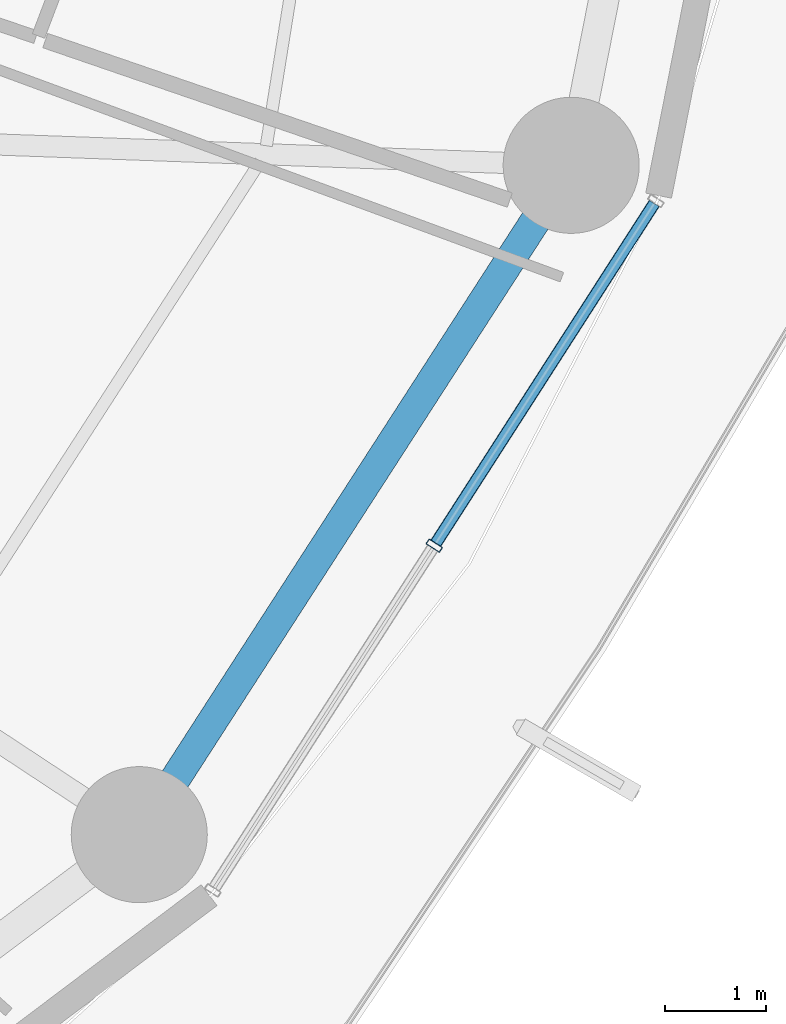
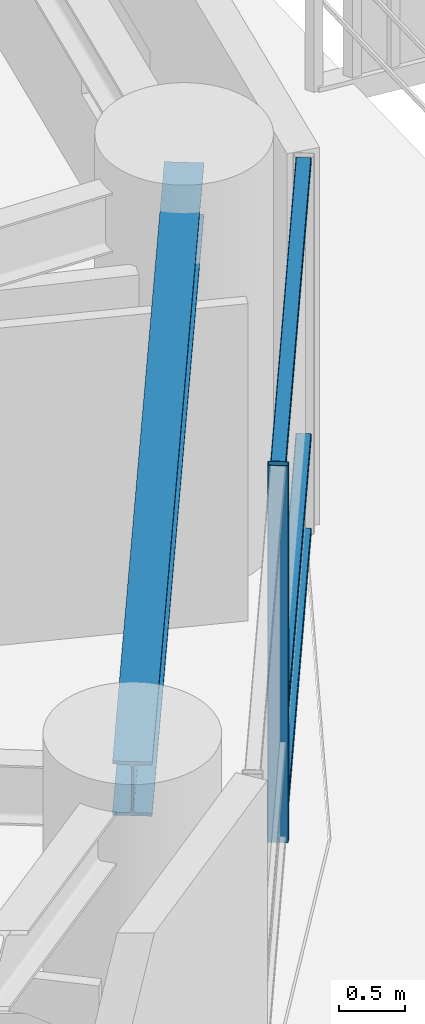
# One storey, part 13 of 35: 4 members, 1 beam, 1 element without a shape of its own.
"""IFC4 building model written with IfcOpenShell, lengths in metres."""

import ifcopenshell
import ifcopenshell.guid

model = None  # the IFC model being written
_history = None  # IfcOwnerHistory: only IFC2X3 demands one
_inside = {}  # id of a spatial element -> (the spatial element, [elements in it])
_under = {}  # id of a project, library or spatial element -> (it, [spatial elements below it])
_declared = {}  # id of a project -> (the project, [libraries it declares])
_typed = {}  # id of a type object -> (the type object, [elements of that type])
_made_of = {}  # id of a material, layer set ... -> (it, [elements and type objects made of it])


def new_model(schema):
    """Start an empty IFC model of exactly this schema.

    Asked for "IFC4X3", IfcOpenShell would pick the latest addendum, in which some entities
    have other attributes; the version numbers below select the first issue.
    IFC2X3 requires an IfcOwnerHistory on every rooted entity: one is made here for all.
    """
    global model, _history
    if schema == "IFC4X3":
        model = ifcopenshell.file(schema_version=(4, 3, 0, 0))
    else:
        model = ifcopenshell.file(schema=schema)
    _inside.clear()
    _under.clear()
    _declared.clear()
    _typed.clear()
    _made_of.clear()
    _history = None
    if model.schema == "IFC2X3":
        org = make("IfcOrganization", Name="unknown")
        user = make(
            "IfcPersonAndOrganization",
            ThePerson=make("IfcPerson", FamilyName="unknown"),
            TheOrganization=org,
        )
        app = make(
            "IfcApplication",
            ApplicationDeveloper=org,
            Version="unknown",
            ApplicationFullName="unknown",
            ApplicationIdentifier="unknown",
        )
        _history = make(
            "IfcOwnerHistory",
            OwningUser=user,
            OwningApplication=app,
            ChangeAction="ADDED",
            CreationDate=0,
        )
    return model


def make(cls, **values):
    """One entity of the class cls with the attributes given. An attribute that is None is left unset."""
    return model.create_entity(
        cls, **{name: value for name, value in values.items() if value is not None}
    )


def rooted(cls, **values):
    """An entity with a GlobalId (a new one), such as an element, a storey or a relation."""
    return make(cls, GlobalId=ifcopenshell.guid.new(), OwnerHistory=_history, **values)


def si_unit(unit_type, name, prefix=None):
    """IfcSIUnit, for example si_unit("LENGTHUNIT", "METRE", prefix="MILLI")."""
    return make("IfcSIUnit", UnitType=unit_type, Prefix=prefix, Name=name)


def assignment(units):
    """IfcUnitAssignment: the units of a project."""
    return None if units is None else make("IfcUnitAssignment", Units=units)


def point(xyz):
    """IfcCartesianPoint."""
    return None if xyz is None else make("IfcCartesianPoint", Coordinates=xyz)


def direction(xyz):
    """IfcDirection."""
    return None if xyz is None else make("IfcDirection", DirectionRatios=xyz)


def frame(location, z_axis=None, x_axis=None):
    """IfcAxis2Placement3D, a coordinate frame: its origin and axes. An axis left out is left unset."""
    return make(
        "IfcAxis2Placement3D",
        Location=point(location),
        Axis=direction(z_axis),
        RefDirection=direction(x_axis),
    )


def frame_2d(location, x_axis=None):
    """IfcAxis2Placement2D, a coordinate frame in the plane: its origin and x axis."""
    return make(
        "IfcAxis2Placement2D", Location=point(location), RefDirection=direction(x_axis)
    )


def origin():
    """The frame at (0, 0, 0) with its axes left unset."""
    return frame((0.0, 0.0, 0.0))


def origin_2d():
    """The frame at (0, 0) in the plane with its x axis left unset."""
    return frame_2d((0.0, 0.0))


def place(relative_to, where):
    """IfcLocalPlacement: puts the frame where relative to a parent placement (None: the world)."""
    return make(
        "IfcLocalPlacement", PlacementRelTo=relative_to, RelativePlacement=where
    )


def context(
    kind, dimensions, precision=None, world=None, true_north=None, identifier=None
):
    """IfcGeometricRepresentationContext, for example the 3D "Model" context."""
    return make(
        "IfcGeometricRepresentationContext",
        ContextIdentifier=identifier,
        ContextType=kind,
        CoordinateSpaceDimension=dimensions,
        Precision=precision,
        WorldCoordinateSystem=world,
        TrueNorth=true_north,
    )


def subcontext(parent, identifier, kind, view, scale=None):
    """IfcGeometricRepresentationSubContext, for example "Body" below "Model"."""
    return make(
        "IfcGeometricRepresentationSubContext",
        ContextIdentifier=identifier,
        ContextType=kind,
        ParentContext=parent,
        TargetScale=scale,
        TargetView=view,
    )


def project(units=None, contexts=None):
    """IfcProject with its units and contexts."""
    return rooted(
        "IfcProject",
        Name="project",
        RepresentationContexts=contexts,
        UnitsInContext=assignment(units),
    )


def spatial(cls, under=None, at=None, **own):
    """A site, building, storey or space (cls), placed at a placement, below another one or the project."""
    s = rooted(cls, ObjectPlacement=at, **own)
    if under is not None:
        _under.setdefault(under.id(), (under, []))[1].append(s)
    return s


def profile(cls, at=None, kind="AREA", **sizes):
    """A parametric profile (cls). Its sizes go by their IFC names, for example OverallWidth=200.0."""
    return make(cls, ProfileType=kind, Position=at, **sizes)


def hollow_rectangle(**sizes):
    """IfcRectangleHollowProfileDef."""
    return profile("IfcRectangleHollowProfileDef", **sizes)


def i_section(**sizes):
    """IfcIShapeProfileDef."""
    return profile("IfcIShapeProfileDef", **sizes)


def extrude(swept, where, along, depth):
    """IfcExtrudedAreaSolid: the profile swept, set in the frame where, extruded along a direction by depth."""
    return make(
        "IfcExtrudedAreaSolid",
        SweptArea=swept,
        Position=where,
        ExtrudedDirection=direction(along),
        Depth=depth,
    )


def shape(context_of_items, identifier, shape_type, items):
    """IfcShapeRepresentation: the items that make up one representation, for example the "Body"."""
    return make(
        "IfcShapeRepresentation",
        ContextOfItems=context_of_items,
        RepresentationIdentifier=identifier,
        RepresentationType=shape_type,
        Items=items,
    )


def material(Name=None, Category=None):
    """IfcMaterial."""
    return make("IfcMaterial", Name=Name, Category=Category)


def layer(
    of_material, thickness, ventilated=None, Name=None, Category=None, Priority=None
):
    """IfcMaterialLayer: one layer of a wall or slab, of a material (None: an air gap)."""
    return make(
        "IfcMaterialLayer",
        Material=of_material,
        LayerThickness=thickness,
        IsVentilated=ventilated,
        Name=Name,
        Category=Category,
        Priority=Priority,
    )


def layer_set(layers, Name=None):
    """IfcMaterialLayerSet."""
    return make("IfcMaterialLayerSet", MaterialLayers=layers, LayerSetName=Name)


def material_profile(
    of_material, cross_section, Name=None, Category=None, Priority=None
):
    """IfcMaterialProfile: a cross section and its material."""
    return make(
        "IfcMaterialProfile",
        Name=Name,
        Material=of_material,
        Profile=cross_section,
        Priority=Priority,
        Category=Category,
    )


def profile_set(profiles, Name=None, composite=None):
    """IfcMaterialProfileSet."""
    return make(
        "IfcMaterialProfileSet",
        Name=Name,
        MaterialProfiles=profiles,
        CompositeProfile=composite,
    )


def made_of(thing, what):
    """Note that an element or type object is made of a material, layer set ...; save() writes the relation."""
    if what is not None:
        _made_of.setdefault(what.id(), (what, []))[1].append(thing)
    return thing


def type_object(cls, material=None, **own):
    """A type object (cls), such as IfcWallType, which elements share."""
    return made_of(rooted(cls, **own), material)


def element(
    cls,
    number,
    at=None,
    inside=None,
    cuts=None,
    type_object=None,
    material=None,
    context=None,
    identifier="Body",
    shape_type=None,
    held_by="IfcProductDefinitionShape",
    body=None,
    shapes=None,
    **own,
):
    """One element of the class cls, such as IfcWall. Its Tag is "e" and its number.

    at: its placement. inside: the storey or other place that contains it. cuts: it is an
    opening in that element (IfcRelVoidsElement). A single representation is given by context,
    identifier, shape_type and body (its items); several are given by shapes. held_by: the class
    of the entity that holds the representations. save() writes the other relations.
    """
    e = rooted(cls, Tag="e%d" % number, ObjectPlacement=at, **own)
    if body is not None:
        shapes = [shape(context, identifier, shape_type, body)]
    if shapes is not None:
        e.Representation = make(held_by, Representations=shapes)
    if inside is not None:
        _inside.setdefault(inside.id(), (inside, []))[1].append(e)
    if cuts is not None:
        rooted(
            "IfcRelVoidsElement", RelatingBuildingElement=cuts, RelatedOpeningElement=e
        )
    if type_object is not None:
        _typed.setdefault(type_object.id(), (type_object, []))[1].append(e)
    return made_of(e, material)


def aggregate(whole, parts):
    """IfcRelAggregates: a whole, such as a stair, and the parts it consists of."""
    return rooted("IfcRelAggregates", RelatingObject=whole, RelatedObjects=parts)


def save(model, path):
    """Write the relations noted so far, then the file.

    IfcRelAggregates (storeys below a building ...), IfcRelContainedInSpatialStructure (elements
    in a storey), IfcRelDefinesByType, IfcRelAssociatesMaterial and IfcRelDeclares: one each for
    every whole, place, type object, material and project.
    """
    for whole, parts in _under.values():
        aggregate(whole, parts)
    for where, things in _inside.values():
        rooted(
            "IfcRelContainedInSpatialStructure",
            RelatedElements=things,
            RelatingStructure=where,
        )
    for kind, things in _typed.values():
        rooted("IfcRelDefinesByType", RelatedObjects=things, RelatingType=kind)
    for what, things in _made_of.values():
        rooted("IfcRelAssociatesMaterial", RelatedObjects=things, RelatingMaterial=what)
    for by, libraries in _declared.values():
        rooted("IfcRelDeclares", RelatingContext=by, RelatedDefinitions=libraries)
    model.write(path)


model = new_model("IFC4")

# Units and contexts
model_context = context("Model", 3, precision=1e-05, world=origin(), true_north=direction((0.0, 1.0)))
body_context = subcontext(model_context, "Body", "Model", "MODEL_VIEW")
ifc_project = project(units=[si_unit("LENGTHUNIT", "METRE"), si_unit("AREAUNIT", "SQUARE_METRE"), si_unit("VOLUMEUNIT", "CUBIC_METRE"), si_unit("PLANEANGLEUNIT", "RADIAN"), si_unit("MASSUNIT", "GRAM", prefix="KILO")], contexts=[model_context])

# Site, building, storey
site_placement = place(None, origin())
site = spatial("IfcSite", under=ifc_project, at=site_placement, CompositionType="ELEMENT")
building_placement = place(site_placement, origin())
building = spatial("IfcBuilding", under=site, at=building_placement, Name="Kelanora Arch Commons", CompositionType="ELEMENT")
storey_placement = place(building_placement, frame((0.0, 0.0, 87.60009765625)))
storey = spatial("IfcBuildingStorey", under=building, at=storey_placement, Name="L22", CompositionType="ELEMENT", Elevation=87.60009765625)

# Beam
ifc_material_1 = material(Name="Steel S355", Category="steel")
ifc_material_profile_1 = material_profile(ifc_material_1, i_section(OverallWidth=0.300048828125, OverallDepth=0.5, WebThickness=0.014404296875, FlangeThickness=0.028076171875, FilletRadius=0.027099609375, at=origin_2d()), Name="HEB500")
ifc_profile_set_1 = profile_set([ifc_material_profile_1], Name="Steel S355")
beam_type = type_object("IfcBeamType", Name="BM-SPN-Z2", PredefinedType="SPANDREL", material=ifc_profile_set_1)
beam_placement = place(storey_placement, frame((92.906005859375, 43.80712890625, 3.239990234375), z_axis=(0.542221144054, 0.840235818649, 0.0), x_axis=(-0.840235818649, 0.542221144054, 0.0)))
element("IfcBeam", 1, at=beam_placement, inside=storey, type_object=beam_type, Name="Perimeter Spandrel Beam BS-32 L22", PredefinedType="SPANDREL", context=body_context, shape_type="SweptSolid", body=[
    extrude(i_section(OverallWidth=0.300048828125, OverallDepth=0.5, WebThickness=0.014404296875, FlangeThickness=0.028076171875, FilletRadius=0.027099609375, at=origin_2d()), origin(), (0.0, 0.0, 1.0), 7.90380859375),
])

# Curtain wall, members
ifc_material_2 = material(Name="Terracotta ceramic-fritted low-E glass and aluminium", Category="masonry")
ifc_layer = layer(ifc_material_2, 0.159912109375)
ifc_layer_set = layer_set([ifc_layer], Name="Terracotta ceramic-fritted low-E glass and aluminium")
curtain_wall_type = type_object("IfcCurtainWallType", Name="CW-SYS-01", PredefinedType="NOTDEFINED", material=ifc_layer_set)
curtain_wall_placement = place(storey_placement, origin())
curtain_wall = element("IfcCurtainWall", 2, at=curtain_wall_placement, inside=storey, type_object=curtain_wall_type, Name="Unitised Curtain Wall L22-B16", PredefinedType="NOTDEFINED")
ifc_material_3 = material(Name="Powder-coated aluminium terracotta", Category="masonry")
ifc_material_profile_2 = material_profile(ifc_material_3, hollow_rectangle(XDim=0.159912109375, YDim=0.06005859375, WallThickness=0.0048828125, InnerFilletRadius=0.0048828125, OuterFilletRadius=0.010009765625, at=origin_2d()), Name="CWM160x60")
ifc_profile_set_2 = profile_set([ifc_material_profile_2], Name="Powder-coated aluminium terracotta")
member_type_1 = type_object("IfcMemberType", Name="CWM-STD", PredefinedType="MULLION", material=ifc_profile_set_2)
member_1_placement = place(storey_placement, frame((95.83349609375, 46.6748046875, 0.0), z_axis=(0.0, 0.0, 1.0), x_axis=(-0.841268883088, 0.540616931244, 0.0)))
member_1 = element("IfcMember", 3, at=member_1_placement, type_object=member_type_1, Name="CW-01 mullion 2", PredefinedType="MULLION", context=body_context, shape_type="SweptSolid", body=[
    extrude(hollow_rectangle(XDim=0.159912109375, YDim=0.06005859375, WallThickness=0.0048828125, InnerFilletRadius=0.0048828125, OuterFilletRadius=0.010009765625, at=origin_2d()), origin(), (0.0, 0.0, 1.0), 3.474853515625),
])
ifc_material_profile_3 = material_profile(ifc_material_3, hollow_rectangle(XDim=0.1201171875, YDim=0.06005859375, WallThickness=0.0048828125, InnerFilletRadius=0.0048828125, OuterFilletRadius=0.010009765625, at=origin_2d()), Name="CWT120x60")
ifc_profile_set_3 = profile_set([ifc_material_profile_3], Name="Powder-coated aluminium terracotta")
member_type_2 = type_object("IfcMemberType", Name="CWT-STD", PredefinedType="USERDEFINED", material=ifc_profile_set_3)
member_2_placement = place(storey_placement, frame((95.849609375, 46.699951171875, 0.02978515625), z_axis=(0.540643629734, 0.841251725483, 0.0), x_axis=(-0.841251725483, 0.540643629734, 0.0)))
member_2 = element("IfcMember", 4, at=member_2_placement, type_object=member_type_2, Name="CW-01 transom 2.1", ObjectType="TRANSOM", PredefinedType="USERDEFINED", context=body_context, shape_type="SweptSolid", body=[
    extrude(hollow_rectangle(XDim=0.1201171875, YDim=0.06005859375, WallThickness=0.0048828125, InnerFilletRadius=0.0048828125, OuterFilletRadius=0.010009765625, at=origin_2d()), origin(), (0.0, 0.0, 1.0), 4.00634765625),
])
member_3_placement = place(storey_placement, frame((95.849609375, 46.699951171875, 0.89990234375), z_axis=(0.540643629734, 0.841251725483, 0.0), x_axis=(-0.841251725483, 0.540643629734, 0.0)))
member_3 = element("IfcMember", 5, at=member_3_placement, type_object=member_type_2, Name="CW-01 transom 2.2", ObjectType="TRANSOM", PredefinedType="USERDEFINED", context=body_context, shape_type="SweptSolid", body=[
    extrude(hollow_rectangle(XDim=0.1201171875, YDim=0.06005859375, WallThickness=0.0048828125, InnerFilletRadius=0.0048828125, OuterFilletRadius=0.010009765625, at=origin_2d()), origin(), (0.0, 0.0, 1.0), 4.00634765625),
])
member_4_placement = place(storey_placement, frame((95.849609375, 46.699951171875, 3.44482421875), z_axis=(0.540643629734, 0.841251725483, 0.0), x_axis=(-0.841251725483, 0.540643629734, 0.0)))
member_4 = element("IfcMember", 6, at=member_4_placement, type_object=member_type_2, Name="CW-01 transom 2.3", ObjectType="TRANSOM", PredefinedType="USERDEFINED", context=body_context, shape_type="SweptSolid", body=[
    extrude(hollow_rectangle(XDim=0.1201171875, YDim=0.06005859375, WallThickness=0.0048828125, InnerFilletRadius=0.0048828125, OuterFilletRadius=0.010009765625, at=origin_2d()), origin(), (0.0, 0.0, 1.0), 4.00634765625),
])
aggregate(curtain_wall, [member_1, member_2, member_3, member_4])

save(model, "model.ifc")
